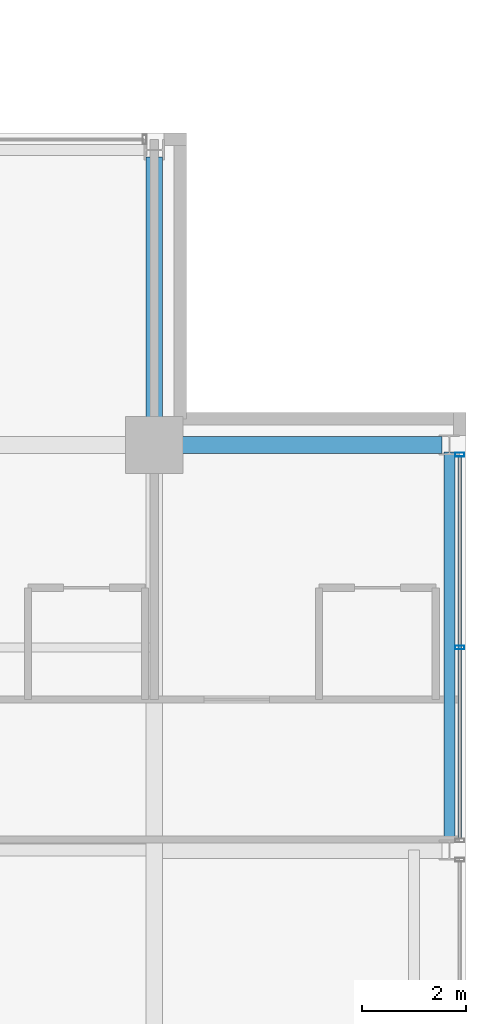
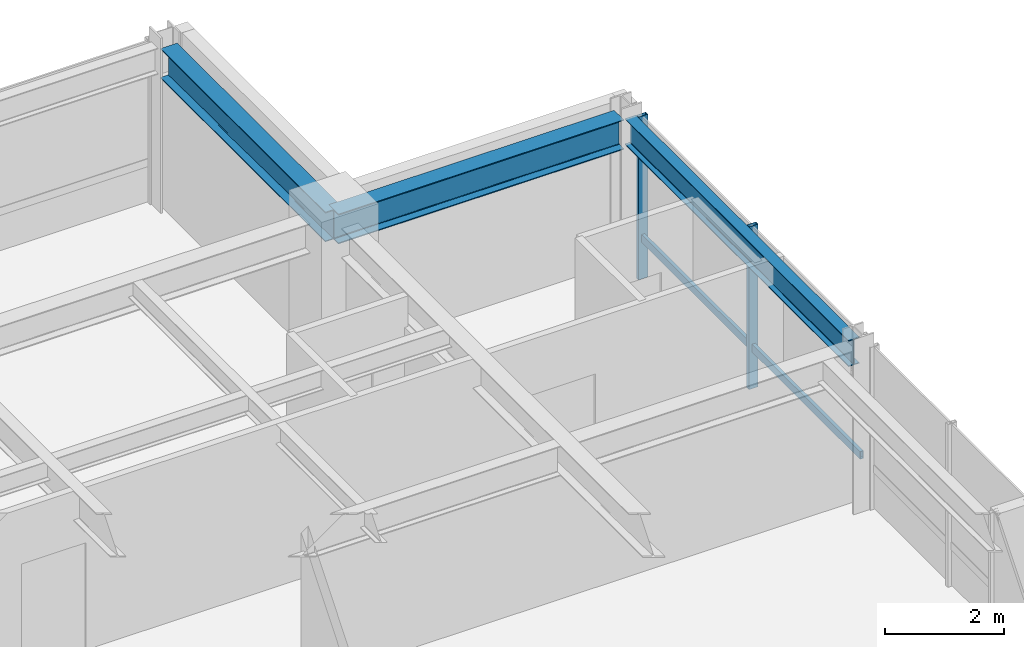
# One storey, part 23 of 32: 3 beams, 3 members, 1 element without a shape of its own.
"""IFC4 building model written with IfcOpenShell, lengths in metres."""

from ifc_helpers import new_model, si_unit, direction, frame, origin, origin_2d, place, context, subcontext, project, spatial, hollow_rectangle, i_section, extrude, material, layer, layer_set, material_profile, profile_set, type_object, element, aggregate, save


model = new_model("IFC4")

# Units and contexts
model_context = context("Model", 3, precision=1e-05, world=origin(), true_north=direction((0.0, 1.0)))
body_context = subcontext(model_context, "Body", "Model", "MODEL_VIEW")
ifc_project = project(units=[si_unit("LENGTHUNIT", "METRE"), si_unit("AREAUNIT", "SQUARE_METRE"), si_unit("VOLUMEUNIT", "CUBIC_METRE"), si_unit("PLANEANGLEUNIT", "RADIAN"), si_unit("MASSUNIT", "GRAM", prefix="KILO")], contexts=[model_context])

# Site, building, storey
site_placement = place(None, origin())
site = spatial("IfcSite", under=ifc_project, at=site_placement, CompositionType="ELEMENT")
building_placement = place(site_placement, origin())
building = spatial("IfcBuilding", under=site, at=building_placement, Name="Drelvath Grand Hotel", CompositionType="ELEMENT")
storey_placement = place(building_placement, frame((0.0, 0.0, 223.10009765625)))
storey = spatial("IfcBuildingStorey", under=building, at=storey_placement, Name="L58", CompositionType="ELEMENT", Elevation=223.10009765625)

# Curtain wall, members
ifc_material_1 = material(Name="Platinum-Mist Anodised Aluminium Frame", Category="aluminium")
ifc_layer = layer(ifc_material_1, 0.199951171875)
ifc_layer_set = layer_set([ifc_layer], Name="Platinum-Mist Anodised Aluminium Frame")
curtain_wall_type = type_object("IfcCurtainWallType", Name="Stick Curtain Wall CW-05 Platinum Mist High-Rise", PredefinedType="NOTDEFINED", material=ifc_layer_set)
curtain_wall_placement = place(storey_placement, origin())
curtain_wall = element("IfcCurtainWall", 1, at=curtain_wall_placement, inside=storey, type_object=curtain_wall_type, Name="L58 CW-05 Curtain Wall CW05-L58-EN2", PredefinedType="NOTDEFINED")
ifc_material_profile_1 = material_profile(ifc_material_1, hollow_rectangle(XDim=0.06494140625, YDim=0.159912109375, WallThickness=0.00390625, at=origin_2d()), Name="HSS160X65X4")
ifc_profile_set_1 = profile_set([ifc_material_profile_1], Name="Platinum-Mist Anodised Aluminium Frame")
member_type_1 = type_object("IfcMemberType", Name="Curtain Wall Horizontal Transom CW-05 HSS160X65X4", PredefinedType="USERDEFINED", material=ifc_profile_set_1)
member_1_placement = place(storey_placement, frame((22.080078125, 42.974609375, 0.8349609375), z_axis=(0.0, -1.0, 0.0), x_axis=(1.0, 0.0, 0.0)))
member_1 = element("IfcMember", 2, at=member_1_placement, type_object=member_type_1, Name="CW05-L58-EN2 Sill Transom", ObjectType="TRANSOM", PredefinedType="USERDEFINED", context=body_context, shape_type="SweptSolid", body=[
    extrude(hollow_rectangle(XDim=0.06494140625, YDim=0.159912109375, WallThickness=0.00390625, at=origin_2d()), origin(), (0.0, 0.0, 1.0), 7.349365234375),
])
ifc_material_profile_2 = material_profile(ifc_material_1, hollow_rectangle(XDim=0.074951171875, YDim=0.179931640625, WallThickness=0.0048828125, at=origin_2d()), Name="HSS180X75X5")
ifc_profile_set_2 = profile_set([ifc_material_profile_2], Name="Platinum-Mist Anodised Aluminium Frame")
member_type_2 = type_object("IfcMemberType", Name="Curtain Wall Vertical Mullion CW-05 HSS180X75X5", PredefinedType="MULLION", material=ifc_profile_set_2)
member_2_placement = place(storey_placement, frame((22.080078125, 43.0146484375, 0.0), z_axis=(0.0, 0.0, 1.0), x_axis=(0.0, 1.0, 0.0)))
member_2 = element("IfcMember", 3, at=member_2_placement, type_object=member_type_2, Name="CW05-L58-EN2 Mullion 1", PredefinedType="MULLION", context=body_context, shape_type="SweptSolid", body=[
    extrude(hollow_rectangle(XDim=0.074951171875, YDim=0.179931640625, WallThickness=0.0048828125, at=origin_2d()), origin(), (0.0, 0.0, 1.0), 3.33984375),
])
member_3_placement = place(storey_placement, frame((22.080078125, 39.300048828125, 0.0), z_axis=(0.0, 0.0, 1.0), x_axis=(0.0, 1.0, 0.0)))
member_3 = element("IfcMember", 4, at=member_3_placement, type_object=member_type_2, Name="CW05-L58-EN2 Mullion 2", PredefinedType="MULLION", context=body_context, shape_type="SweptSolid", body=[
    extrude(hollow_rectangle(XDim=0.074951171875, YDim=0.179931640625, WallThickness=0.0048828125, at=origin_2d()), origin(), (0.0, 0.0, 1.0), 3.33984375),
])
aggregate(curtain_wall, [member_2, member_3, member_1])

# Beams
ifc_material_2 = material(Name="Steel ASTM A992 Gr 50", Category="steel")
ifc_material_profile_3 = material_profile(ifc_material_2, i_section(OverallWidth=0.210205078125, OverallDepth=0.53662109375, WebThickness=0.010986328125, FlangeThickness=0.017333984375, FilletRadius=0.01806640625, at=origin_2d()), Name="W21X68")
ifc_profile_set_3 = profile_set([ifc_material_profile_3], Name="Steel ASTM A992 Gr 50")
beam_type_1 = type_object("IfcBeamType", Name="Perimeter Spandrel Beam W21X68", PredefinedType="SPANDREL", material=ifc_profile_set_3)
beam_placement = place(storey_placement, frame((21.8798828125, 35.5400390625, 3.071533203125), z_axis=(0.0, 1.0, 0.0), x_axis=(-1.0, 0.0, 0.0)))
element("IfcBeam", 5, at=beam_placement, inside=storey, type_object=beam_type_1, Name="L58 Spandrel East N", PredefinedType="SPANDREL", context=body_context, shape_type="SweptSolid", body=[
    extrude(i_section(OverallWidth=0.210205078125, OverallDepth=0.53662109375, WebThickness=0.010986328125, FlangeThickness=0.017333984375, FilletRadius=0.01806640625, at=origin_2d()), origin(), (0.0, 0.0, 1.0), 7.52001953125),
])
ifc_material_profile_4 = material_profile(ifc_material_2, i_section(OverallWidth=0.323974609375, OverallDepth=0.611083984375, WebThickness=0.0126953125, FlangeThickness=0.01904296875, FilletRadius=0.02197265625, at=origin_2d()), Name="W24X104")
ifc_profile_set_4 = profile_set([ifc_material_profile_4], Name="Steel ASTM A992 Gr 50")
beam_type_2 = type_object("IfcBeamType", Name="Primary Floor Girder W24X104", PredefinedType="BEAM", material=ifc_profile_set_4)
for number, where, z_axis, x_axis, name in (
    (6, (16.199951171875, 43.199951171875, 3.034423828125), (1.0, 0.0, 0.0), (0.0, 1.0, 0.0), "L58 East Grid Girder G"),
    (7, (16.199951171875, 43.199951171875, 3.034423828125), (0.0, 1.0, 0.0), (-1.0, 0.0, 0.0), "L58 North Grid Girder 7"),
):
    element("IfcBeam", number, at=place(storey_placement, frame(where, z_axis=z_axis, x_axis=x_axis)), inside=storey, type_object=beam_type_2, Name=name, PredefinedType="BEAM", context=body_context, shape_type="SweptSolid", body=[
        extrude(i_section(OverallWidth=0.323974609375, OverallDepth=0.611083984375, WebThickness=0.0126953125, FlangeThickness=0.01904296875, FilletRadius=0.02197265625, at=origin_2d()), origin(), (0.0, 0.0, 1.0), 5.5400390625),
    ])

save(model, "model.ifc")
